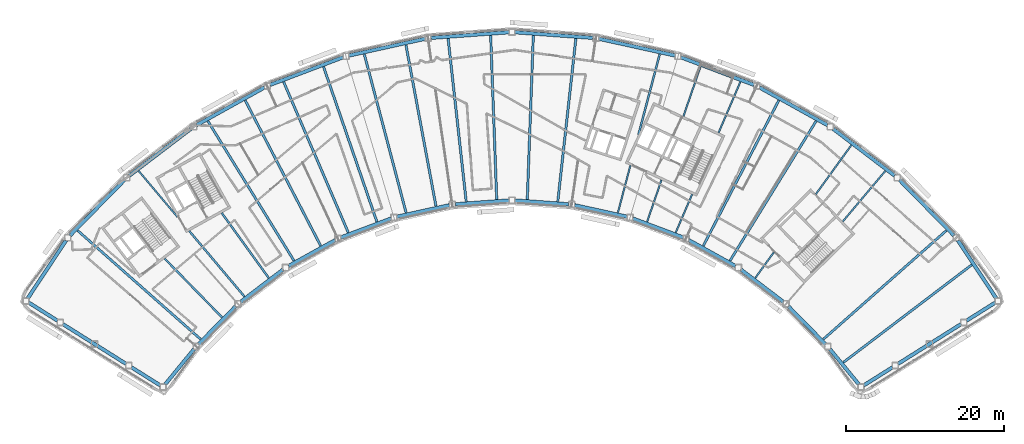
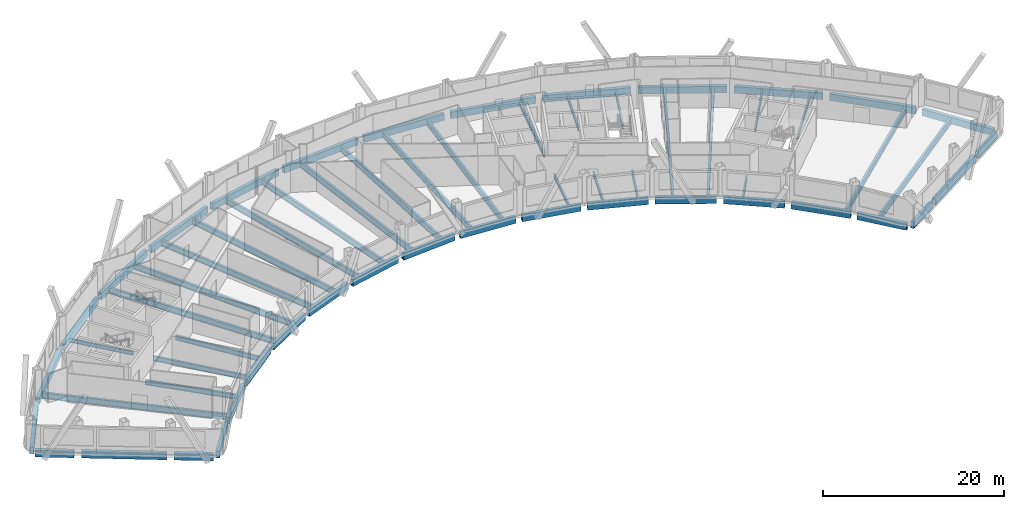
# One storey, part 3 of 14: 62 beams.
"""IFC4 building model written with IfcOpenShell, lengths in metres."""

from ifc_helpers import new_model, si_unit, direction, frame, origin, origin_2d, place, context, subcontext, project, spatial, hollow_rectangle, i_section, extrude, material, material_profile, profile_set, type_object, element, save


model = new_model("IFC4")

# Units and contexts
model_context = context("Model", 3, precision=1e-05, world=origin(), true_north=direction((0.0, 1.0)))
body_context = subcontext(model_context, "Body", "Model", "MODEL_VIEW")
ifc_project = project(units=[si_unit("LENGTHUNIT", "METRE"), si_unit("AREAUNIT", "SQUARE_METRE"), si_unit("VOLUMEUNIT", "CUBIC_METRE"), si_unit("PLANEANGLEUNIT", "RADIAN"), si_unit("MASSUNIT", "GRAM", prefix="KILO")], contexts=[model_context])

# Site, building, storey
site_placement = place(None, origin())
site = spatial("IfcSite", under=ifc_project, at=site_placement, CompositionType="ELEMENT")
building_placement = place(site_placement, origin())
building = spatial("IfcBuilding", under=site, at=building_placement, Name="Tuul Gate Civic Tower", CompositionType="ELEMENT")
storey_placement = place(building_placement, frame((0.0, 0.0, 265.199951171875)))
storey = spatial("IfcBuildingStorey", under=building, at=storey_placement, Name="Level 60", CompositionType="ELEMENT", Elevation=265.199951171875)

# Beams
ifc_material_1 = material(Name="Steel S355", Category="steel")
ifc_material_profile_1 = material_profile(ifc_material_1, i_section(OverallWidth=0.199951171875, OverallDepth=0.5, WebThickness=0.010009765625, FlangeThickness=0.01611328125, at=origin_2d()), Name="PG500x200x10x16")
ifc_profile_set_1 = profile_set([ifc_material_profile_1], Name="Steel S355")
beam_type_1 = type_object("IfcBeamType", Name="STR-FLOOR BEAM-PG500x200x10x16", PredefinedType="BEAM", material=ifc_profile_set_1)
beam_1_placement = place(storey_placement, frame((53.012939453125, -10.570068359375, -0.550048828125), z_axis=(0.644124963716, 0.764920277622, 0.0), x_axis=(-0.764920277622, 0.644124963716, 0.0)))
element("IfcBeam", 1, at=beam_1_placement, inside=storey, type_object=beam_type_1, Name="Floor beam", PredefinedType="BEAM", context=body_context, shape_type="SweptSolid", body=[
    extrude(i_section(OverallWidth=0.199951171875, OverallDepth=0.5, WebThickness=0.010009765625, FlangeThickness=0.01611328125, at=origin_2d()), origin(), (0.0, 0.0, 1.0), 8.367431640625),
])
beam_2_placement = place(storey_placement, frame((41.900390625, -17.74755859375, -0.550048828125), z_axis=(0.58608498793, 0.810249583106, 0.0), x_axis=(-0.810249583106, 0.58608498793, 0.0)))
element("IfcBeam", 2, at=beam_2_placement, inside=storey, type_object=beam_type_1, Name="Floor beam", PredefinedType="BEAM", context=body_context, shape_type="SweptSolid", body=[
    extrude(i_section(OverallWidth=0.199951171875, OverallDepth=0.5, WebThickness=0.010009765625, FlangeThickness=0.01611328125, at=origin_2d()), origin(), (0.0, 0.0, 1.0), 4.017822265625),
])
beam_3_placement = place(storey_placement, frame((49.606201171875, -7.094482421875, -0.550048828125), z_axis=(0.586082829809, 0.810251144154, 0.0), x_axis=(-0.810251144154, 0.586082829809, 0.0)))
element("IfcBeam", 3, at=beam_3_placement, inside=storey, type_object=beam_type_1, Name="Floor beam", PredefinedType="BEAM", context=body_context, shape_type="SweptSolid", body=[
    extrude(i_section(OverallWidth=0.199951171875, OverallDepth=0.5, WebThickness=0.010009765625, FlangeThickness=0.01611328125, at=origin_2d()), origin(), (0.0, 0.0, 1.0), 7.658447265625),
])
beam_4_placement = place(storey_placement, frame((31.8076171875, -11.986328125, -0.550048828125), z_axis=(0.394180828633, 0.919032901663, 0.0), x_axis=(-0.919032901663, 0.394180828633, 0.0)))
element("IfcBeam", 4, at=beam_4_placement, inside=storey, type_object=beam_type_1, Name="Floor beam", PredefinedType="BEAM", context=body_context, shape_type="SweptSolid", body=[
    extrude(i_section(OverallWidth=0.199951171875, OverallDepth=0.5, WebThickness=0.010009765625, FlangeThickness=0.01611328125, at=origin_2d()), origin(), (0.0, 0.0, 1.0), 5.294921875),
])
beam_5_placement = place(storey_placement, frame((37.247314453125, 0.695556640625, -0.550048828125), z_axis=(0.394187897698, 0.91902986965, 0.0), x_axis=(-0.91902986965, 0.394187897698, 0.0)))
element("IfcBeam", 5, at=beam_5_placement, inside=storey, type_object=beam_type_1, Name="Floor beam", PredefinedType="BEAM", context=body_context, shape_type="SweptSolid", body=[
    extrude(i_section(OverallWidth=0.199951171875, OverallDepth=0.5, WebThickness=0.010009765625, FlangeThickness=0.01611328125, at=origin_2d()), origin(), (0.0, 0.0, 1.0), 7.020263671875),
])
beam_6_placement = place(storey_placement, frame((28.17724609375, -10.613525390625, -0.550048828125), z_axis=(0.32546385433, 0.945554482579, 0.0), x_axis=(-0.945554482579, 0.32546385433, 0.0)))
element("IfcBeam", 6, at=beam_6_placement, inside=storey, type_object=beam_type_1, Name="Floor beam", PredefinedType="BEAM", context=body_context, shape_type="SweptSolid", body=[
    extrude(i_section(OverallWidth=0.199951171875, OverallDepth=0.5, WebThickness=0.010009765625, FlangeThickness=0.01611328125, at=origin_2d()), origin(), (0.0, 0.0, 1.0), 5.61328125),
])
beam_7_placement = place(storey_placement, frame((32.7861328125, 2.775634765625, -0.550048828125), z_axis=(0.325498409491, 0.94554258784, 0.0), x_axis=(-0.94554258784, 0.325498409491, 0.0)))
element("IfcBeam", 7, at=beam_7_placement, inside=storey, type_object=beam_type_1, Name="Floor beam", PredefinedType="BEAM", context=body_context, shape_type="SweptSolid", body=[
    extrude(i_section(OverallWidth=0.199951171875, OverallDepth=0.5, WebThickness=0.010009765625, FlangeThickness=0.01611328125, at=origin_2d()), origin(), (0.0, 0.0, 1.0), 6.649169921875),
])
beam_8_placement = place(storey_placement, frame((24.469482421875, -9.467041015625, -0.550048828125), z_axis=(0.254996491749, 0.966941978195, 0.0), x_axis=(-0.966941978195, 0.254996491749, 0.0)))
element("IfcBeam", 8, at=beam_8_placement, inside=storey, type_object=beam_type_1, Name="Floor beam", PredefinedType="BEAM", context=body_context, shape_type="SweptSolid", body=[
    extrude(i_section(OverallWidth=0.199951171875, OverallDepth=0.5, WebThickness=0.010009765625, FlangeThickness=0.01611328125, at=origin_2d()), origin(), (0.0, 0.0, 1.0), 6.208984375),
])
beam_9_placement = place(storey_placement, frame((-31.43212890625, -9.998779296875, -0.550048828125), z_axis=(-0.644120948452, 0.764923658782, 0.0), x_axis=(-0.764923658782, -0.644120948452, 0.0)))
element("IfcBeam", 9, at=beam_9_placement, inside=storey, type_object=beam_type_1, Name="Floor beam", PredefinedType="BEAM", context=body_context, shape_type="SweptSolid", body=[
    extrude(i_section(OverallWidth=0.199951171875, OverallDepth=0.5, WebThickness=0.010009765625, FlangeThickness=0.01611328125, at=origin_2d()), origin(), (0.0, 0.0, 1.0), 7.62109375),
])
ifc_material_2 = material(Name="Steel S355", Category="steel")
ifc_material_profile_2 = material_profile(ifc_material_2, i_section(OverallWidth=0.25, OverallDepth=0.64990234375, WebThickness=0.011962890625, FlangeThickness=0.02001953125, at=origin_2d()), Name="PG650x250x12x20")
ifc_profile_set_2 = profile_set([ifc_material_profile_2], Name="Steel S355")
beam_type_2 = type_object("IfcBeamType", Name="STR-FLOOR BEAM-PG650x250x12x20", PredefinedType="BEAM", material=ifc_profile_set_2)
beam_10_placement = place(storey_placement, frame((27.08447265625, 0.44873046875, -0.625), z_axis=(0.255007501185, 0.966939074782, 0.0), x_axis=(-0.966939074782, 0.255007501185, 0.0)))
element("IfcBeam", 10, at=beam_10_placement, inside=storey, type_object=beam_type_2, Name="Floor beam", PredefinedType="BEAM", context=body_context, shape_type="SweptSolid", body=[
    extrude(i_section(OverallWidth=0.25, OverallDepth=0.64990234375, WebThickness=0.011962890625, FlangeThickness=0.02001953125, at=origin_2d()), origin(), (0.0, 0.0, 1.0), 10.562744140625),
])
beam_11_placement = place(storey_placement, frame((-19.838623046875, -17.747314453125, -0.625), z_axis=(-0.586080278924, 0.810252989292, 0.0), x_axis=(-0.810252989292, -0.586080278924, 0.0)))
element("IfcBeam", 11, at=beam_11_placement, inside=storey, type_object=beam_type_2, Name="Floor beam", PredefinedType="BEAM", context=body_context, shape_type="SweptSolid", body=[
    extrude(i_section(OverallWidth=0.25, OverallDepth=0.64990234375, WebThickness=0.011962890625, FlangeThickness=0.02001953125, at=origin_2d()), origin(), (0.0, 0.0, 1.0), 10.18505859375),
])
beam_12_placement = place(storey_placement, frame((-22.927001953125, -20.0986328125, -0.625), z_axis=(-0.644130906332, 0.764915273418, 0.0), x_axis=(-0.764915273418, -0.644130906332, 0.0)))
element("IfcBeam", 12, at=beam_12_placement, inside=storey, type_object=beam_type_2, Name="Floor beam", PredefinedType="BEAM", context=body_context, shape_type="SweptSolid", body=[
    extrude(i_section(OverallWidth=0.25, OverallDepth=0.64990234375, WebThickness=0.011962890625, FlangeThickness=0.02001953125, at=origin_2d()), origin(), (0.0, 0.0, 1.0), 10.87451171875),
])
beam_13_placement = place(storey_placement, frame((-25.767333984375, -22.744140625, -0.625), z_axis=(-0.698680484376, 0.715433840933, 0.0), x_axis=(-0.715433840933, -0.698680484376, 0.0)))
element("IfcBeam", 13, at=beam_13_placement, inside=storey, type_object=beam_type_2, Name="Floor beam", PredefinedType="BEAM", context=body_context, shape_type="SweptSolid", body=[
    extrude(i_section(OverallWidth=0.25, OverallDepth=0.64990234375, WebThickness=0.011962890625, FlangeThickness=0.02001953125, at=origin_2d()), origin(), (0.0, 0.0, 1.0), 10.43408203125),
])
ifc_material_3 = material(Name="Steel S355", Category="steel")
ifc_material_profile_3 = material_profile(ifc_material_3, i_section(OverallWidth=0.300048828125, OverallDepth=0.800048828125, WebThickness=0.013916015625, FlangeThickness=0.02490234375, at=origin_2d()), Name="PG800x300x14x25")
ifc_profile_set_3 = profile_set([ifc_material_profile_3], Name="Steel S355")
beam_type_3 = type_object("IfcBeamType", Name="STR-FLOOR BEAM-PG800x300x14x25", PredefinedType="BEAM", material=ifc_profile_set_3)
beam_14_placement = place(storey_placement, frame((53.0859375, -28.4609375, -0.699951171875), z_axis=(0.796147939121, 0.605102023657, 0.0), x_axis=(-0.605102023657, 0.796147939121, 0.0)))
element("IfcBeam", 14, at=beam_14_placement, inside=storey, type_object=beam_type_3, Name="Floor beam", PredefinedType="BEAM", context=body_context, shape_type="SweptSolid", body=[
    extrude(i_section(OverallWidth=0.300048828125, OverallDepth=0.800048828125, WebThickness=0.013916015625, FlangeThickness=0.02490234375, at=origin_2d()), origin(), (0.0, 0.0, 1.0), 20.4619140625),
])
beam_15_placement = place(storey_placement, frame((50.546630859375, -25.51611328125, -0.699951171875), z_axis=(0.749454599758, 0.662055740026, 0.0), x_axis=(-0.662055740026, 0.749454599758, 0.0)))
element("IfcBeam", 15, at=beam_15_placement, inside=storey, type_object=beam_type_3, Name="Floor beam", PredefinedType="BEAM", context=body_context, shape_type="SweptSolid", body=[
    extrude(i_section(OverallWidth=0.300048828125, OverallDepth=0.800048828125, WebThickness=0.013916015625, FlangeThickness=0.02490234375, at=origin_2d()), origin(), (0.0, 0.0, 1.0), 20.82763671875),
])
beam_16_placement = place(storey_placement, frame((38.69677734375, -15.556396484375, -0.699951171875), z_axis=(0.524851468826, 0.851193829672, 0.0), x_axis=(-0.851193829672, 0.524851468826, 0.0)))
element("IfcBeam", 16, at=beam_16_placement, inside=storey, type_object=beam_type_3, Name="Floor beam", PredefinedType="BEAM", context=body_context, shape_type="SweptSolid", body=[
    extrude(i_section(OverallWidth=0.300048828125, OverallDepth=0.800048828125, WebThickness=0.013916015625, FlangeThickness=0.02490234375, at=origin_2d()), origin(), (0.0, 0.0, 1.0), 20.822998046875),
])
beam_17_placement = place(storey_placement, frame((35.30224609375, -13.67431640625, -0.699951171875), z_axis=(0.460781503105, 0.887513609133, 0.0), x_axis=(-0.887513609133, 0.460781503105, 0.0)))
element("IfcBeam", 17, at=beam_17_placement, inside=storey, type_object=beam_type_3, Name="Floor beam", PredefinedType="BEAM", context=body_context, shape_type="SweptSolid", body=[
    extrude(i_section(OverallWidth=0.300048828125, OverallDepth=0.800048828125, WebThickness=0.013916015625, FlangeThickness=0.02490234375, at=origin_2d()), origin(), (0.0, 0.0, 1.0), 20.807861328125),
])
beam_18_placement = place(storey_placement, frame((16.84228515625, -8.052001953125, -0.699951171875), z_axis=(0.110274472783, 0.993901172478, 0.0), x_axis=(-0.993901172478, 0.110274472783, 0.0)))
element("IfcBeam", 18, at=beam_18_placement, inside=storey, type_object=beam_type_3, Name="Floor beam", PredefinedType="BEAM", context=body_context, shape_type="SweptSolid", body=[
    extrude(i_section(OverallWidth=0.300048828125, OverallDepth=0.800048828125, WebThickness=0.013916015625, FlangeThickness=0.02490234375, at=origin_2d()), origin(), (0.0, 0.0, 1.0), 20.8154296875),
])
for number, where, z_axis, x_axis, name in (
    (19, (12.971435546875, -7.771728515625, -0.699951171875), (0.036820764609, 0.999321885727, 0.0), (-0.999321885727, 0.036820764609, 0.0), "Floor beam"),
    (20, (9.090576171875, -7.771728515625, -0.699951171875), (-0.036832478792, 0.999321454041, 0.0), (-0.999321454041, -0.036832478792, 0.0), "Floor beam"),
):
    element("IfcBeam", number, at=place(storey_placement, frame(where, z_axis=z_axis, x_axis=x_axis)), inside=storey, type_object=beam_type_3, Name=name, PredefinedType="BEAM", context=body_context, shape_type="SweptSolid", body=[
        extrude(i_section(OverallWidth=0.300048828125, OverallDepth=0.800048828125, WebThickness=0.013916015625, FlangeThickness=0.02490234375, at=origin_2d()), origin(), (0.0, 0.0, 1.0), 20.813232421875),
    ])
beam_19_placement = place(storey_placement, frame((5.2197265625, -8.052001953125, -0.699951171875), z_axis=(-0.110286058964, 0.993899886909, 0.0), x_axis=(-0.993899886909, -0.110286058964, 0.0)))
element("IfcBeam", 21, at=beam_19_placement, inside=storey, type_object=beam_type_3, Name="Floor beam", PredefinedType="BEAM", context=body_context, shape_type="SweptSolid", body=[
    extrude(i_section(OverallWidth=0.300048828125, OverallDepth=0.800048828125, WebThickness=0.013916015625, FlangeThickness=0.02490234375, at=origin_2d()), origin(), (0.0, 0.0, 1.0), 20.8154296875),
])
beam_20_placement = place(storey_placement, frame((1.38232421875, -8.631591796875, -0.699951171875), z_axis=(-0.1831360046, 0.983087587054, 0.0), x_axis=(-0.983087587054, -0.1831360046, 0.0)))
element("IfcBeam", 22, at=beam_20_placement, inside=storey, type_object=beam_type_3, Name="Floor beam", PredefinedType="BEAM", context=body_context, shape_type="SweptSolid", body=[
    extrude(i_section(OverallWidth=0.300048828125, OverallDepth=0.800048828125, WebThickness=0.013916015625, FlangeThickness=0.02490234375, at=origin_2d()), origin(), (0.0, 0.0, 1.0), 20.811279296875),
])
beam_21_placement = place(storey_placement, frame((-2.40771484375, -9.467041015625, -0.699951171875), z_axis=(-0.255004720301, 0.96693980817, 0.0), x_axis=(-0.96693980817, -0.255004720301, 0.0)))
element("IfcBeam", 23, at=beam_21_placement, inside=storey, type_object=beam_type_3, Name="Floor beam", PredefinedType="BEAM", context=body_context, shape_type="SweptSolid", body=[
    extrude(i_section(OverallWidth=0.300048828125, OverallDepth=0.800048828125, WebThickness=0.013916015625, FlangeThickness=0.02490234375, at=origin_2d()), origin(), (0.0, 0.0, 1.0), 20.817626953125),
])
beam_22_placement = place(storey_placement, frame((-6.115478515625, -10.613525390625, -0.699951171875), z_axis=(-0.325476485131, 0.945550134909, 0.0), x_axis=(-0.945550134909, -0.325476485131, 0.0)))
element("IfcBeam", 24, at=beam_22_placement, inside=storey, type_object=beam_type_3, Name="Floor beam", PredefinedType="BEAM", context=body_context, shape_type="SweptSolid", body=[
    extrude(i_section(OverallWidth=0.300048828125, OverallDepth=0.800048828125, WebThickness=0.013916015625, FlangeThickness=0.02490234375, at=origin_2d()), origin(), (0.0, 0.0, 1.0), 20.809326171875),
])
beam_23_placement = place(storey_placement, frame((-9.74560546875, -11.986328125, -0.699951171875), z_axis=(-0.394206576273, 0.919021857859, 0.0), x_axis=(-0.919021857859, -0.394206576273, 0.0)))
element("IfcBeam", 25, at=beam_23_placement, inside=storey, type_object=beam_type_3, Name="Floor beam", PredefinedType="BEAM", context=body_context, shape_type="SweptSolid", body=[
    extrude(i_section(OverallWidth=0.300048828125, OverallDepth=0.800048828125, WebThickness=0.013916015625, FlangeThickness=0.02490234375, at=origin_2d()), origin(), (0.0, 0.0, 1.0), 20.81982421875),
])
beam_24_placement = place(storey_placement, frame((-13.240478515625, -13.674072265625, -0.699951171875), z_axis=(-0.460777059353, 0.887515916237, 0.0), x_axis=(-0.887515916237, -0.460777059353, 0.0)))
element("IfcBeam", 26, at=beam_24_placement, inside=storey, type_object=beam_type_3, Name="Floor beam", PredefinedType="BEAM", context=body_context, shape_type="SweptSolid", body=[
    extrude(i_section(OverallWidth=0.300048828125, OverallDepth=0.800048828125, WebThickness=0.013916015625, FlangeThickness=0.02490234375, at=origin_2d()), origin(), (0.0, 0.0, 1.0), 20.8076171875),
])
beam_25_placement = place(storey_placement, frame((-16.63525390625, -15.55615234375, -0.699951171875), z_axis=(-0.524839716817, 0.851201075922, 0.0), x_axis=(-0.851201075922, -0.524839716817, 0.0)))
element("IfcBeam", 27, at=beam_25_placement, inside=storey, type_object=beam_type_3, Name="Floor beam", PredefinedType="BEAM", context=body_context, shape_type="SweptSolid", body=[
    extrude(i_section(OverallWidth=0.300048828125, OverallDepth=0.800048828125, WebThickness=0.013916015625, FlangeThickness=0.02490234375, at=origin_2d()), origin(), (0.0, 0.0, 1.0), 20.822509765625),
])
beam_26_placement = place(storey_placement, frame((-28.48486328125, -25.51611328125, -0.699951171875), z_axis=(-0.749449461751, 0.662061556263, 0.0), x_axis=(-0.662061556263, -0.749449461751, 0.0)))
element("IfcBeam", 28, at=beam_26_placement, inside=storey, type_object=beam_type_3, Name="Floor beam", PredefinedType="BEAM", context=body_context, shape_type="SweptSolid", body=[
    extrude(i_section(OverallWidth=0.300048828125, OverallDepth=0.800048828125, WebThickness=0.013916015625, FlangeThickness=0.02490234375, at=origin_2d()), origin(), (0.0, 0.0, 1.0), 20.827392578125),
])
ifc_material_4 = material(Name="Steel S355", Category="steel")
ifc_material_profile_4 = material_profile(ifc_material_4, hollow_rectangle(XDim=0.449951171875, YDim=0.89990234375, WallThickness=0.02490234375, at=origin_2d()), Name="BOX900x450x25")
ifc_profile_set_4 = profile_set([ifc_material_profile_4], Name="Steel S355")
beam_type_4 = type_object("IfcBeamType", Name="STR-SPANDREL BEAM-BOX900x450x25", PredefinedType="BEAM", material=ifc_profile_set_4)
beam_27_placement = place(storey_placement, frame((72.4814453125, -20.3203125, -0.75), z_axis=(-0.551644580762, 0.834079286708, 0.0), x_axis=(-0.834079286708, -0.551644580762, 0.0)))
element("IfcBeam", 29, at=beam_27_placement, inside=storey, type_object=beam_type_4, Name="Spandrel beam", PredefinedType="BEAM", context=body_context, shape_type="SweptSolid", body=[
    extrude(hollow_rectangle(XDim=0.449951171875, YDim=0.89990234375, WallThickness=0.02490234375, at=origin_2d()), origin(), (0.0, 0.0, 1.0), 8.805908203125),
])
beam_28_placement = place(storey_placement, frame((67.123046875, -12.3564453125, -0.75), z_axis=(-0.700052630296, 0.714091251042, 0.0), x_axis=(-0.714091251042, -0.700052630296, 0.0)))
element("IfcBeam", 30, at=beam_28_placement, inside=storey, type_object=beam_type_4, Name="Spandrel beam", PredefinedType="BEAM", context=body_context, shape_type="SweptSolid", body=[
    extrude(hollow_rectangle(XDim=0.449951171875, YDim=0.89990234375, WallThickness=0.02490234375, at=origin_2d()), origin(), (0.0, 0.0, 1.0), 9.8779296875),
])
beam_29_placement = place(storey_placement, frame((59.60986328125, -4.774658203125, -0.75), z_axis=(-0.795586019059, 0.605840644294, 0.0), x_axis=(-0.605840644294, -0.795586019059, 0.0)))
element("IfcBeam", 31, at=beam_29_placement, inside=storey, type_object=beam_type_4, Name="Spandrel beam", PredefinedType="BEAM", context=body_context, shape_type="SweptSolid", body=[
    extrude(hollow_rectangle(XDim=0.449951171875, YDim=0.89990234375, WallThickness=0.02490234375, at=origin_2d()), origin(), (0.0, 0.0, 1.0), 9.877685546875),
])
beam_30_placement = place(storey_placement, frame((51.083251953125, 1.64599609375, -0.75), z_axis=(-0.874631416408, 0.484788495565, 0.0), x_axis=(-0.484788495565, -0.874631416408, 0.0)))
element("IfcBeam", 32, at=beam_30_placement, inside=storey, type_object=beam_type_4, Name="Spandrel beam", PredefinedType="BEAM", context=body_context, shape_type="SweptSolid", body=[
    extrude(hollow_rectangle(XDim=0.449951171875, YDim=0.89990234375, WallThickness=0.02490234375, at=origin_2d()), origin(), (0.0, 0.0, 1.0), 9.876708984375),
])
beam_31_placement = place(storey_placement, frame((41.720947265625, 6.76953125, -0.75), z_axis=(-0.935348375613, 0.353727884451, 0.0), x_axis=(-0.353727884451, -0.935348375613, 0.0)))
element("IfcBeam", 33, at=beam_31_placement, inside=storey, type_object=beam_type_4, Name="Spandrel beam", PredefinedType="BEAM", context=body_context, shape_type="SweptSolid", body=[
    extrude(hollow_rectangle(XDim=0.449951171875, YDim=0.89990234375, WallThickness=0.02490234375, at=origin_2d()), origin(), (0.0, 0.0, 1.0), 9.87744140625),
])
beam_32_placement = place(storey_placement, frame((31.71728515625, 10.490966796875, -0.75), z_axis=(-0.976565880984, 0.215218679716, 0.0), x_axis=(-0.215218679716, -0.976565880984, 0.0)))
element("IfcBeam", 34, at=beam_32_placement, inside=storey, type_object=beam_type_4, Name="Spandrel beam", PredefinedType="BEAM", context=body_context, shape_type="SweptSolid", body=[
    extrude(hollow_rectangle(XDim=0.449951171875, YDim=0.89990234375, WallThickness=0.02490234375, at=origin_2d()), origin(), (0.0, 0.0, 1.0), 9.878173828125),
])
beam_33_placement = place(storey_placement, frame((21.281005859375, 12.73193359375, -0.75), z_axis=(-0.997389983978, 0.072202630563, 0.0), x_axis=(-0.072202630563, -0.997389983978, 0.0)))
element("IfcBeam", 35, at=beam_33_placement, inside=storey, type_object=beam_type_4, Name="Spandrel beam", PredefinedType="BEAM", context=body_context, shape_type="SweptSolid", body=[
    extrude(hollow_rectangle(XDim=0.449951171875, YDim=0.89990234375, WallThickness=0.02490234375, at=origin_2d()), origin(), (0.0, 0.0, 1.0), 9.876953125),
])
beam_34_placement = place(storey_placement, frame((10.632080078125, 13.445068359375, -0.75), z_axis=(-0.997390499353, -0.072195510943, 0.0), x_axis=(0.072195510943, -0.997390499353, 0.0)))
element("IfcBeam", 36, at=beam_34_placement, inside=storey, type_object=beam_type_4, Name="Spandrel beam", PredefinedType="BEAM", context=body_context, shape_type="SweptSolid", body=[
    extrude(hollow_rectangle(XDim=0.449951171875, YDim=0.89990234375, WallThickness=0.02490234375, at=origin_2d()), origin(), (0.0, 0.0, 1.0), 9.8779296875),
])
beam_35_placement = place(storey_placement, frame((-0.009521484375, 12.616943359375, -0.75), z_axis=(-0.97656649642, -0.215215887123, 0.0), x_axis=(0.215215887123, -0.97656649642, 0.0)))
element("IfcBeam", 37, at=beam_35_placement, inside=storey, type_object=beam_type_4, Name="Spandrel beam", PredefinedType="BEAM", context=body_context, shape_type="SweptSolid", body=[
    extrude(hollow_rectangle(XDim=0.449951171875, YDim=0.89990234375, WallThickness=0.02490234375, at=origin_2d()), origin(), (0.0, 0.0, 1.0), 9.877197265625),
])
beam_36_placement = place(storey_placement, frame((-10.420166015625, 10.263427734375, -0.75), z_axis=(-0.935348375613, -0.353727884451, 0.0), x_axis=(0.353727884451, -0.935348375613, 0.0)))
element("IfcBeam", 38, at=beam_36_placement, inside=storey, type_object=beam_type_4, Name="Spandrel beam", PredefinedType="BEAM", context=body_context, shape_type="SweptSolid", body=[
    extrude(hollow_rectangle(XDim=0.449951171875, YDim=0.89990234375, WallThickness=0.02490234375, at=origin_2d()), origin(), (0.0, 0.0, 1.0), 9.87744140625),
])
beam_37_placement = place(storey_placement, frame((-20.3828125, 6.43408203125, -0.75), z_axis=(-0.874631416408, -0.484788495565, 0.0), x_axis=(0.484788495565, -0.874631416408, 0.0)))
element("IfcBeam", 39, at=beam_37_placement, inside=storey, type_object=beam_type_4, Name="Spandrel beam", PredefinedType="BEAM", context=body_context, shape_type="SweptSolid", body=[
    extrude(hollow_rectangle(XDim=0.449951171875, YDim=0.89990234375, WallThickness=0.02490234375, at=origin_2d()), origin(), (0.0, 0.0, 1.0), 9.876708984375),
])
beam_38_placement = place(storey_placement, frame((-29.689208984375, 1.209716796875, -0.75), z_axis=(-0.795622302229, -0.605792994509, 0.0), x_axis=(0.605792994509, -0.795622302229, 0.0)))
element("IfcBeam", 40, at=beam_38_placement, inside=storey, type_object=beam_type_4, Name="Spandrel beam", PredefinedType="BEAM", context=body_context, shape_type="SweptSolid", body=[
    extrude(hollow_rectangle(XDim=0.449951171875, YDim=0.89990234375, WallThickness=0.02490234375, at=origin_2d()), origin(), (0.0, 0.0, 1.0), 9.878662109375),
])
beam_39_placement = place(storey_placement, frame((-38.14697265625, -5.302734375, -0.75), z_axis=(-0.700002211949, -0.714140674704, 0.0), x_axis=(0.714140674704, -0.700002211949, 0.0)))
element("IfcBeam", 41, at=beam_39_placement, inside=storey, type_object=beam_type_4, Name="Spandrel beam", PredefinedType="BEAM", context=body_context, shape_type="SweptSolid", body=[
    extrude(hollow_rectangle(XDim=0.449951171875, YDim=0.89990234375, WallThickness=0.02490234375, at=origin_2d()), origin(), (0.0, 0.0, 1.0), 9.877197265625),
])
beam_40_placement = place(storey_placement, frame((-45.561767578125, -12.9755859375, -0.75), z_axis=(-0.551644580762, -0.834079286708, 0.0), x_axis=(0.834079286708, -0.551644580762, 0.0)))
element("IfcBeam", 42, at=beam_40_placement, inside=storey, type_object=beam_type_4, Name="Spandrel beam", PredefinedType="BEAM", context=body_context, shape_type="SweptSolid", body=[
    extrude(hollow_rectangle(XDim=0.449951171875, YDim=0.89990234375, WallThickness=0.02490234375, at=origin_2d()), origin(), (0.0, 0.0, 1.0), 8.805908203125),
])
beam_41_placement = place(storey_placement, frame((-50.301513671875, -20.8671875, -0.75), z_axis=(0.84613117079, -0.532974710298, 0.0), x_axis=(0.532974710298, 0.84613117079, 0.0)))
element("IfcBeam", 43, at=beam_41_placement, inside=storey, type_object=beam_type_4, Name="Spandrel beam", PredefinedType="BEAM", context=body_context, shape_type="SweptSolid", body=[
    extrude(hollow_rectangle(XDim=0.449951171875, YDim=0.89990234375, WallThickness=0.02490234375, at=origin_2d()), origin(), (0.0, 0.0, 1.0), 4.33154296875),
])
beam_42_placement = place(storey_placement, frame((-45.95947265625, -23.60205078125, -0.75), z_axis=(0.84620354352, -0.532859796695, 0.0), x_axis=(0.532859796695, 0.84620354352, 0.0)))
element("IfcBeam", 44, at=beam_42_placement, inside=storey, type_object=beam_type_4, Name="Spandrel beam", PredefinedType="BEAM", context=body_context, shape_type="SweptSolid", body=[
    extrude(hollow_rectangle(XDim=0.449951171875, YDim=0.89990234375, WallThickness=0.02490234375, at=origin_2d()), origin(), (0.0, 0.0, 1.0), 9.463623046875),
])
beam_43_placement = place(storey_placement, frame((-37.2744140625, -29.071044921875, -0.75), z_axis=(0.846271424817, -0.532751983138, 0.0), x_axis=(0.532751983138, 0.846271424817, 0.0)))
element("IfcBeam", 45, at=beam_43_placement, inside=storey, type_object=beam_type_4, Name="Spandrel beam", PredefinedType="BEAM", context=body_context, shape_type="SweptSolid", body=[
    extrude(hollow_rectangle(XDim=0.449951171875, YDim=0.89990234375, WallThickness=0.02490234375, at=origin_2d()), origin(), (0.0, 0.0, 1.0), 4.33203125),
])
beam_44_placement = place(storey_placement, frame((-33.016357421875, -31.28271484375, -0.75), z_axis=(0.63442976414, 0.772980513579, 0.0), x_axis=(-0.772980513579, 0.63442976414, 0.0)))
element("IfcBeam", 46, at=beam_44_placement, inside=storey, type_object=beam_type_4, Name="Spandrel beam", PredefinedType="BEAM", context=body_context, shape_type="SweptSolid", body=[
    extrude(hollow_rectangle(XDim=0.449951171875, YDim=0.89990234375, WallThickness=0.02490234375, at=origin_2d()), origin(), (0.0, 0.0, 1.0), 5.85205078125),
])
beam_45_placement = place(storey_placement, frame((-28.77001953125, -26.164306640625, -0.75), z_axis=(0.700025402034, 0.714117942995, 0.0), x_axis=(-0.714117942995, 0.700025402034, 0.0)))
element("IfcBeam", 47, at=beam_45_placement, inside=storey, type_object=beam_type_4, Name="Spandrel beam", PredefinedType="BEAM", context=body_context, shape_type="SweptSolid", body=[
    extrude(hollow_rectangle(XDim=0.449951171875, YDim=0.89990234375, WallThickness=0.02490234375, at=origin_2d()), origin(), (0.0, 0.0, 1.0), 6.791015625),
])
beam_46_placement = place(storey_placement, frame((-23.417724609375, -20.78662109375, -0.75), z_axis=(0.795626424775, 0.605787580098, 0.0), x_axis=(-0.605787580098, 0.795626424775, 0.0)))
element("IfcBeam", 48, at=beam_46_placement, inside=storey, type_object=beam_type_4, Name="Spandrel beam", PredefinedType="BEAM", context=body_context, shape_type="SweptSolid", body=[
    extrude(hollow_rectangle(XDim=0.449951171875, YDim=0.89990234375, WallThickness=0.02490234375, at=origin_2d()), origin(), (0.0, 0.0, 1.0), 6.79150390625),
])
beam_47_placement = place(storey_placement, frame((-17.34619140625, -16.236083984375, -0.75), z_axis=(0.87459604926, 0.484852297734, 0.0), x_axis=(-0.484852297734, 0.87459604926, 0.0)))
element("IfcBeam", 49, at=beam_47_placement, inside=storey, type_object=beam_type_4, Name="Spandrel beam", PredefinedType="BEAM", context=body_context, shape_type="SweptSolid", body=[
    extrude(hollow_rectangle(XDim=0.449951171875, YDim=0.89990234375, WallThickness=0.02490234375, at=origin_2d()), origin(), (0.0, 0.0, 1.0), 6.792236328125),
])
beam_48_placement = place(storey_placement, frame((-10.681884765625, -12.607421875, -0.75), z_axis=(0.935378837958, 0.353647323617, 0.0), x_axis=(-0.353647323617, 0.935378837958, 0.0)))
element("IfcBeam", 50, at=beam_48_placement, inside=storey, type_object=beam_type_4, Name="Spandrel beam", PredefinedType="BEAM", context=body_context, shape_type="SweptSolid", body=[
    extrude(hollow_rectangle(XDim=0.449951171875, YDim=0.89990234375, WallThickness=0.02490234375, at=origin_2d()), origin(), (0.0, 0.0, 1.0), 6.791748046875),
])
for number, where, z_axis, x_axis, name in (
    (51, (-3.564453125, -9.97802734375, -0.75), (0.976561119915, 0.215240282172, 0.0), (-0.215240282172, 0.976561119915, 0.0), "Spandrel beam"),
    (52, (3.85791015625, -8.401123046875, -0.75), (0.997391663711, 0.072179423387, 0.0), (-0.072179423387, 0.997391663711, 0.0), "Spandrel beam"),
    (53, (11.429931640625, -7.910888671875, -0.75), (0.997391663711, -0.072179423387, 0.0), (0.072179423387, 0.997391663711, 0.0), "Spandrel beam"),
    (54, (18.99365234375, -8.51611328125, -0.75), (0.976561119915, -0.215240282172, 0.0), (0.215240282172, 0.976561119915, 0.0), "Spandrel beam"),
):
    element("IfcBeam", number, at=place(storey_placement, frame(where, z_axis=z_axis, x_axis=x_axis)), inside=storey, type_object=beam_type_4, Name=name, PredefinedType="BEAM", context=body_context, shape_type="SweptSolid", body=[
        extrude(hollow_rectangle(XDim=0.449951171875, YDim=0.89990234375, WallThickness=0.02490234375, at=origin_2d()), origin(), (0.0, 0.0, 1.0), 6.7919921875),
    ])
beam_49_placement = place(storey_placement, frame((26.39111328125, -10.20556640625, -0.75), z_axis=(0.935378837958, -0.353647323617, 0.0), x_axis=(0.353647323617, 0.935378837958, 0.0)))
element("IfcBeam", 55, at=beam_49_placement, inside=storey, type_object=beam_type_4, Name="Spandrel beam", PredefinedType="BEAM", context=body_context, shape_type="SweptSolid", body=[
    extrude(hollow_rectangle(XDim=0.449951171875, YDim=0.89990234375, WallThickness=0.02490234375, at=origin_2d()), origin(), (0.0, 0.0, 1.0), 6.791748046875),
])
beam_50_placement = place(storey_placement, frame((33.4677734375, -12.94287109375, -0.75), z_axis=(0.874562243514, -0.484913272885, 0.0), x_axis=(0.484913272885, 0.874562243514, 0.0)))
element("IfcBeam", 56, at=beam_50_placement, inside=storey, type_object=beam_type_4, Name="Spandrel beam", PredefinedType="BEAM", context=body_context, shape_type="SweptSolid", body=[
    extrude(hollow_rectangle(XDim=0.449951171875, YDim=0.89990234375, WallThickness=0.02490234375, at=origin_2d()), origin(), (0.0, 0.0, 1.0), 6.791259765625),
])
beam_51_placement = place(storey_placement, frame((40.0751953125, -16.67236328125, -0.75), z_axis=(0.795679183599, -0.605718281701, 0.0), x_axis=(0.605718281701, 0.795679183599, 0.0)))
element("IfcBeam", 57, at=beam_51_placement, inside=storey, type_object=beam_type_4, Name="Spandrel beam", PredefinedType="BEAM", context=body_context, shape_type="SweptSolid", body=[
    extrude(hollow_rectangle(XDim=0.449951171875, YDim=0.89990234375, WallThickness=0.02490234375, at=origin_2d()), origin(), (0.0, 0.0, 1.0), 6.79248046875),
])
beam_52_placement = place(storey_placement, frame((46.078125, -21.314697265625, -0.75), z_axis=(0.700025402034, -0.714117942995, 0.0), x_axis=(0.714117942995, 0.700025402034, 0.0)))
element("IfcBeam", 58, at=beam_52_placement, inside=storey, type_object=beam_type_4, Name="Spandrel beam", PredefinedType="BEAM", context=body_context, shape_type="SweptSolid", body=[
    extrude(hollow_rectangle(XDim=0.449951171875, YDim=0.89990234375, WallThickness=0.02490234375, at=origin_2d()), origin(), (0.0, 0.0, 1.0), 6.791015625),
])
beam_53_placement = place(storey_placement, frame((51.36572265625, -26.75927734375, -0.75), z_axis=(0.634404835744, -0.773000973081, 0.0), x_axis=(0.773000973081, 0.634404835744, 0.0)))
element("IfcBeam", 59, at=beam_53_placement, inside=storey, type_object=beam_type_4, Name="Spandrel beam", PredefinedType="BEAM", context=body_context, shape_type="SweptSolid", body=[
    extrude(hollow_rectangle(XDim=0.449951171875, YDim=0.89990234375, WallThickness=0.02490234375, at=origin_2d()), origin(), (0.0, 0.0, 1.0), 5.851806640625),
])
beam_54_placement = place(storey_placement, frame((55.67041015625, -31.37890625, -0.75), z_axis=(0.846207423362, 0.532853635295, 0.0), x_axis=(-0.532853635295, 0.846207423362, 0.0)))
element("IfcBeam", 60, at=beam_54_placement, inside=storey, type_object=beam_type_4, Name="Spandrel beam", PredefinedType="BEAM", context=body_context, shape_type="SweptSolid", body=[
    extrude(hollow_rectangle(XDim=0.449951171875, YDim=0.89990234375, WallThickness=0.02490234375, at=origin_2d()), origin(), (0.0, 0.0, 1.0), 4.3310546875),
])
beam_55_placement = place(storey_placement, frame((60.012451171875, -28.644775390625, -0.75), z_axis=(0.84620354352, 0.532859796695, 0.0), x_axis=(-0.532859796695, 0.84620354352, 0.0)))
element("IfcBeam", 61, at=beam_55_placement, inside=storey, type_object=beam_type_4, Name="Spandrel beam", PredefinedType="BEAM", context=body_context, shape_type="SweptSolid", body=[
    extrude(hollow_rectangle(XDim=0.449951171875, YDim=0.89990234375, WallThickness=0.02490234375, at=origin_2d()), origin(), (0.0, 0.0, 1.0), 9.463623046875),
])
beam_56_placement = place(storey_placement, frame((68.697509765625, -23.17578125, -0.75), z_axis=(0.846195195567, 0.532873053362, 0.0), x_axis=(-0.532873053362, 0.846195195567, 0.0)))
element("IfcBeam", 62, at=beam_56_placement, inside=storey, type_object=beam_type_4, Name="Spandrel beam", PredefinedType="BEAM", context=body_context, shape_type="SweptSolid", body=[
    extrude(hollow_rectangle(XDim=0.449951171875, YDim=0.89990234375, WallThickness=0.02490234375, at=origin_2d()), origin(), (0.0, 0.0, 1.0), 4.332275390625),
])

save(model, "model.ifc")
